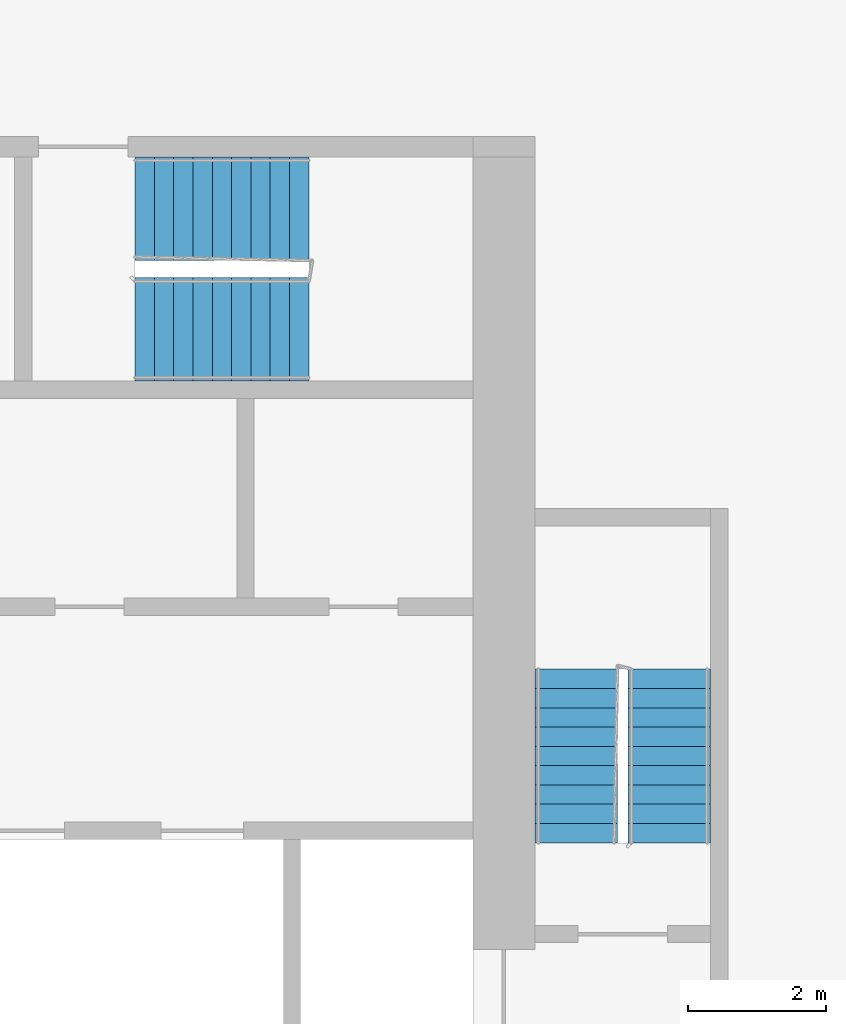
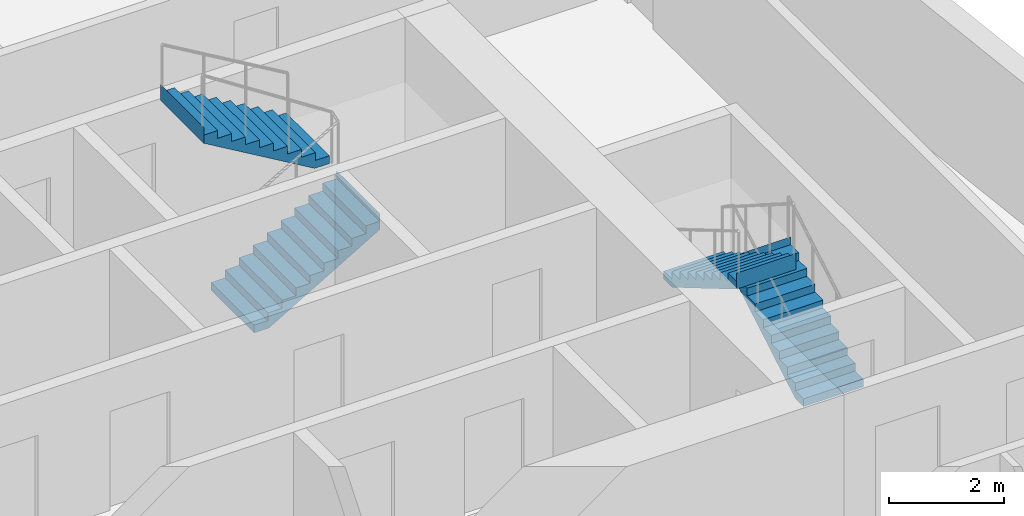
# One storey, part 11 of 12: 4 stair flights, 2 elements without a shape of their own.
"""IFC4 building model written with IfcOpenShell, lengths in metres."""

from ifc_helpers import new_model, si_unit, direction, frame, origin, place, context, subcontext, project, spatial, faceted_brep, material, type_object, element, aggregate, save


model = new_model("IFC4")

# Units and contexts
model_context = context("Model", 3, precision=1e-05, world=origin(), true_north=direction((0.0, 1.0)))
body_context = subcontext(model_context, "Body", "Model", "MODEL_VIEW")
ifc_project = project(units=[si_unit("LENGTHUNIT", "METRE"), si_unit("AREAUNIT", "SQUARE_METRE"), si_unit("VOLUMEUNIT", "CUBIC_METRE"), si_unit("PLANEANGLEUNIT", "RADIAN"), si_unit("MASSUNIT", "GRAM", prefix="KILO")], contexts=[model_context])

# Site, building, storey
site_placement = place(None, origin())
site = spatial("IfcSite", under=ifc_project, at=site_placement, CompositionType="ELEMENT")
building_placement = place(site_placement, origin())
building = spatial("IfcBuilding", under=site, at=building_placement, Name="Kajstack Hotel Tower", CompositionType="ELEMENT")
storey_placement = place(building_placement, frame((0.0, 0.0, 203.199951171875)))
storey = spatial("IfcBuildingStorey", under=building, at=storey_placement, Name="L49", CompositionType="ELEMENT", Elevation=203.199951171875)

# Stair, stair flights
ifc_material = material(Name="Concrete C40/50", Category="concrete")
stair_type_1 = type_object("IfcStairType", Name="Exit stair 1200", PredefinedType="HALF_TURN_STAIR", material=ifc_material)
stair_1_placement = place(storey_placement, origin())
stair_1 = element("IfcStair", 1, at=stair_1_placement, inside=storey, type_object=stair_type_1, Name="L49 stair E1", PredefinedType="HALF_TURN_STAIR")
stair_flight_type_1 = type_object("IfcStairFlightType", Name="Exit stair flight 1200", PredefinedType="STRAIGHT", material=ifc_material)
stair_flight_1_placement = place(storey_placement, frame((33.449951171875, 5.25, 0.0), z_axis=(0.0, 0.0, 1.0), x_axis=(0.0, 1.0, 0.0)))
stair_flight_1 = element("IfcStairFlight", 2, at=stair_flight_1_placement, type_object=stair_flight_type_1, Name="E1 flight 1", NumberOfRisers=10, NumberOfTreads=9, PredefinedType="STRAIGHT", RiserHeight=0.165, TreadLength=0.28, context=body_context, shape_type="Brep", body=[
    faceted_brep([(0.295654296875, -0.60009765625, 0.0), (2.5205078125, -0.60009765625, 1.31103515625), (2.5205078125, -0.60009765625, 1.64990234375), (2.52001953125, -0.60009765625, 1.64990234375), (2.52001953125, -0.60009765625, 1.485107421875), (2.239990234375, -0.60009765625, 1.485107421875), (2.239990234375, -0.60009765625, 1.320068359375), (1.9599609375, -0.60009765625, 1.320068359375), (1.9599609375, -0.60009765625, 1.155029296875), (1.679931640625, -0.60009765625, 1.155029296875), (1.679931640625, -0.60009765625, 0.989990234375), (1.39990234375, -0.60009765625, 0.989990234375), (1.39990234375, -0.60009765625, 0.824951171875), (1.1201171875, -0.60009765625, 0.824951171875), (1.1201171875, -0.60009765625, 0.659912109375), (0.840087890625, -0.60009765625, 0.659912109375), (0.840087890625, -0.60009765625, 0.4951171875), (0.56005859375, -0.60009765625, 0.4951171875), (0.56005859375, -0.60009765625, 0.330078125), (0.280029296875, -0.60009765625, 0.330078125), (0.280029296875, -0.60009765625, 0.1650390625), (-0.00048828125, -0.60009765625, 0.1650390625), (-0.00048828125, -0.60009765625, 0.0), (-0.00048828125, 0.60009765625, 0.0), (-0.00048828125, 0.60009765625, 0.1650390625), (0.280029296875, 0.60009765625, 0.1650390625), (0.280029296875, 0.60009765625, 0.330078125), (0.56005859375, 0.60009765625, 0.330078125), (0.56005859375, 0.60009765625, 0.4951171875), (0.840087890625, 0.60009765625, 0.4951171875), (0.840087890625, 0.60009765625, 0.659912109375), (1.1201171875, 0.60009765625, 0.659912109375), (1.1201171875, 0.60009765625, 0.824951171875), (1.39990234375, 0.60009765625, 0.824951171875), (1.39990234375, 0.60009765625, 0.989990234375), (1.679931640625, 0.60009765625, 0.989990234375), (1.679931640625, 0.60009765625, 1.155029296875), (1.9599609375, 0.60009765625, 1.155029296875), (1.9599609375, 0.60009765625, 1.320068359375), (2.239990234375, 0.60009765625, 1.320068359375), (2.239990234375, 0.60009765625, 1.485107421875), (2.52001953125, 0.60009765625, 1.485107421875), (2.52001953125, 0.60009765625, 1.64990234375), (2.5205078125, 0.60009765625, 1.64990234375), (2.5205078125, 0.60009765625, 1.31103515625), (0.295654296875, 0.60009765625, 0.0), (-0.00048828125, -0.300048828125, 0.1650390625), (-0.00048828125, 0.0, 0.1650390625), (-0.00048828125, 0.300048828125, 0.1650390625), (-0.00048828125, 0.300048828125, 0.0), (-0.00048828125, 0.0, 0.0), (-0.00048828125, -0.300048828125, 0.0), (0.280029296875, -0.300048828125, 0.1650390625), (0.280029296875, 0.0, 0.1650390625), (0.280029296875, 0.300048828125, 0.1650390625), (0.280029296875, -0.300048828125, 0.330078125), (0.280029296875, 0.0, 0.330078125), (0.280029296875, 0.300048828125, 0.330078125), (0.56005859375, -0.300048828125, 0.330078125), (0.56005859375, 0.0, 0.330078125), (0.56005859375, 0.300048828125, 0.330078125), (0.56005859375, -0.300048828125, 0.4951171875), (0.56005859375, 0.0, 0.4951171875), (0.56005859375, 0.300048828125, 0.4951171875), (0.840087890625, -0.300048828125, 0.4951171875), (0.840087890625, 0.0, 0.4951171875), (0.840087890625, 0.300048828125, 0.4951171875), (0.840087890625, -0.300048828125, 0.659912109375), (0.840087890625, 0.0, 0.659912109375), (0.840087890625, 0.300048828125, 0.659912109375), (1.1201171875, -0.300048828125, 0.659912109375), (1.1201171875, 0.0, 0.659912109375), (1.1201171875, 0.300048828125, 0.659912109375), (1.1201171875, -0.300048828125, 0.824951171875), (1.1201171875, 0.0, 0.824951171875), (1.1201171875, 0.300048828125, 0.824951171875), (1.39990234375, -0.300048828125, 0.824951171875), (1.39990234375, 0.0, 0.824951171875), (1.39990234375, 0.300048828125, 0.824951171875), (1.39990234375, -0.300048828125, 0.989990234375), (1.39990234375, 0.0, 0.989990234375), (1.39990234375, 0.300048828125, 0.989990234375), (1.679931640625, -0.300048828125, 0.989990234375), (1.679931640625, 0.0, 0.989990234375), (1.679931640625, 0.300048828125, 0.989990234375), (1.679931640625, -0.300048828125, 1.155029296875), (1.679931640625, 0.0, 1.155029296875), (1.679931640625, 0.300048828125, 1.155029296875), (1.9599609375, -0.300048828125, 1.155029296875), (1.9599609375, 0.0, 1.155029296875), (1.9599609375, 0.300048828125, 1.155029296875), (1.9599609375, -0.300048828125, 1.320068359375), (1.9599609375, 0.0, 1.320068359375), (1.9599609375, 0.300048828125, 1.320068359375), (2.239990234375, -0.300048828125, 1.320068359375), (2.239990234375, 0.0, 1.320068359375), (2.239990234375, 0.300048828125, 1.320068359375), (2.239990234375, -0.300048828125, 1.485107421875), (2.239990234375, 0.0, 1.485107421875), (2.239990234375, 0.300048828125, 1.485107421875), (2.52001953125, -0.300048828125, 1.485107421875), (2.52001953125, 0.0, 1.485107421875), (2.52001953125, 0.300048828125, 1.485107421875), (2.52001953125, -0.300048828125, 1.64990234375), (2.52001953125, 0.0, 1.64990234375), (2.52001953125, 0.300048828125, 1.64990234375), (2.5205078125, -0.300048828125, 1.64990234375), (2.5205078125, 0.0, 1.64990234375), (2.5205078125, 0.300048828125, 1.64990234375), (2.5205078125, -0.300048828125, 1.31103515625), (2.5205078125, 0.0, 1.31103515625), (2.5205078125, 0.300048828125, 1.31103515625), (0.295654296875, -0.300048828125, 0.0), (0.295654296875, 0.0, 0.0), (0.295654296875, 0.300048828125, 0.0)], [[[0, 1, 2, 3, 4, 5, 6, 7, 8, 9, 10, 11, 12, 13, 14, 15, 16, 17, 18, 19, 20, 21, 22]], [[23, 24, 25, 26, 27, 28, 29, 30, 31, 32, 33, 34, 35, 36, 37, 38, 39, 40, 41, 42, 43, 44, 45]], [[21, 46, 47, 48, 24, 23, 49, 50, 51, 22]], [[20, 52, 53, 54, 25, 24, 48, 47, 46, 21]], [[19, 55, 56, 57, 26, 25, 54, 53, 52, 20]], [[18, 58, 59, 60, 27, 26, 57, 56, 55, 19]], [[17, 61, 62, 63, 28, 27, 60, 59, 58, 18]], [[16, 64, 65, 66, 29, 28, 63, 62, 61, 17]], [[15, 67, 68, 69, 30, 29, 66, 65, 64, 16]], [[14, 70, 71, 72, 31, 30, 69, 68, 67, 15]], [[13, 73, 74, 75, 32, 31, 72, 71, 70, 14]], [[12, 76, 77, 78, 33, 32, 75, 74, 73, 13]], [[11, 79, 80, 81, 34, 33, 78, 77, 76, 12]], [[10, 82, 83, 84, 35, 34, 81, 80, 79, 11]], [[9, 85, 86, 87, 36, 35, 84, 83, 82, 10]], [[8, 88, 89, 90, 37, 36, 87, 86, 85, 9]], [[7, 91, 92, 93, 38, 37, 90, 89, 88, 8]], [[6, 94, 95, 96, 39, 38, 93, 92, 91, 7]], [[5, 97, 98, 99, 40, 39, 96, 95, 94, 6]], [[4, 100, 101, 102, 41, 40, 99, 98, 97, 5]], [[3, 103, 104, 105, 42, 41, 102, 101, 100, 4]], [[2, 106, 107, 108, 43, 42, 105, 104, 103, 3]], [[1, 109, 110, 111, 44, 43, 108, 107, 106, 2]], [[0, 112, 113, 114, 45, 44, 111, 110, 109, 1]], [[22, 51, 50, 49, 23, 45, 114, 113, 112, 0]]]),
])
stair_flight_2_placement = place(storey_placement, frame((32.10009765625, 7.77001953125, 1.650146484375), z_axis=(0.0, 0.0, 1.0), x_axis=(0.0, -1.0, 0.0)))
stair_flight_2 = element("IfcStairFlight", 3, at=stair_flight_2_placement, type_object=stair_flight_type_1, Name="E1 flight 2", NumberOfRisers=10, NumberOfTreads=9, PredefinedType="STRAIGHT", RiserHeight=0.165, TreadLength=0.28, context=body_context, shape_type="Brep", body=[
    faceted_brep([(0.295654296875, -0.60009765625, 0.0), (2.5205078125, -0.60009765625, 1.31103515625), (2.5205078125, -0.60009765625, 1.64990234375), (2.52001953125, -0.60009765625, 1.64990234375), (2.52001953125, -0.60009765625, 1.485107421875), (2.239990234375, -0.60009765625, 1.485107421875), (2.239990234375, -0.60009765625, 1.320068359375), (1.9599609375, -0.60009765625, 1.320068359375), (1.9599609375, -0.60009765625, 1.155029296875), (1.679931640625, -0.60009765625, 1.155029296875), (1.679931640625, -0.60009765625, 0.989990234375), (1.39990234375, -0.60009765625, 0.989990234375), (1.39990234375, -0.60009765625, 0.824951171875), (1.1201171875, -0.60009765625, 0.824951171875), (1.1201171875, -0.60009765625, 0.659912109375), (0.840087890625, -0.60009765625, 0.659912109375), (0.840087890625, -0.60009765625, 0.4951171875), (0.56005859375, -0.60009765625, 0.4951171875), (0.56005859375, -0.60009765625, 0.330078125), (0.280029296875, -0.60009765625, 0.330078125), (0.280029296875, -0.60009765625, 0.1650390625), (-0.00048828125, -0.60009765625, 0.1650390625), (-0.00048828125, -0.60009765625, 0.0), (-0.00048828125, 0.60009765625, 0.0), (-0.00048828125, 0.60009765625, 0.1650390625), (0.280029296875, 0.60009765625, 0.1650390625), (0.280029296875, 0.60009765625, 0.330078125), (0.56005859375, 0.60009765625, 0.330078125), (0.56005859375, 0.60009765625, 0.4951171875), (0.840087890625, 0.60009765625, 0.4951171875), (0.840087890625, 0.60009765625, 0.659912109375), (1.1201171875, 0.60009765625, 0.659912109375), (1.1201171875, 0.60009765625, 0.824951171875), (1.39990234375, 0.60009765625, 0.824951171875), (1.39990234375, 0.60009765625, 0.989990234375), (1.679931640625, 0.60009765625, 0.989990234375), (1.679931640625, 0.60009765625, 1.155029296875), (1.9599609375, 0.60009765625, 1.155029296875), (1.9599609375, 0.60009765625, 1.320068359375), (2.239990234375, 0.60009765625, 1.320068359375), (2.239990234375, 0.60009765625, 1.485107421875), (2.52001953125, 0.60009765625, 1.485107421875), (2.52001953125, 0.60009765625, 1.64990234375), (2.5205078125, 0.60009765625, 1.64990234375), (2.5205078125, 0.60009765625, 1.31103515625), (0.295654296875, 0.60009765625, 0.0), (-0.00048828125, -0.300048828125, 0.1650390625), (-0.00048828125, 0.0, 0.1650390625), (-0.00048828125, 0.300048828125, 0.1650390625), (-0.00048828125, 0.300048828125, 0.0), (-0.00048828125, 0.0, 0.0), (-0.00048828125, -0.300048828125, 0.0), (0.280029296875, -0.300048828125, 0.1650390625), (0.280029296875, 0.0, 0.1650390625), (0.280029296875, 0.300048828125, 0.1650390625), (0.280029296875, -0.300048828125, 0.330078125), (0.280029296875, 0.0, 0.330078125), (0.280029296875, 0.300048828125, 0.330078125), (0.56005859375, -0.300048828125, 0.330078125), (0.56005859375, 0.0, 0.330078125), (0.56005859375, 0.300048828125, 0.330078125), (0.56005859375, -0.300048828125, 0.4951171875), (0.56005859375, 0.0, 0.4951171875), (0.56005859375, 0.300048828125, 0.4951171875), (0.840087890625, -0.300048828125, 0.4951171875), (0.840087890625, 0.0, 0.4951171875), (0.840087890625, 0.300048828125, 0.4951171875), (0.840087890625, -0.300048828125, 0.659912109375), (0.840087890625, 0.0, 0.659912109375), (0.840087890625, 0.300048828125, 0.659912109375), (1.1201171875, -0.300048828125, 0.659912109375), (1.1201171875, 0.0, 0.659912109375), (1.1201171875, 0.300048828125, 0.659912109375), (1.1201171875, -0.300048828125, 0.824951171875), (1.1201171875, 0.0, 0.824951171875), (1.1201171875, 0.300048828125, 0.824951171875), (1.39990234375, -0.300048828125, 0.824951171875), (1.39990234375, 0.0, 0.824951171875), (1.39990234375, 0.300048828125, 0.824951171875), (1.39990234375, -0.300048828125, 0.989990234375), (1.39990234375, 0.0, 0.989990234375), (1.39990234375, 0.300048828125, 0.989990234375), (1.679931640625, -0.300048828125, 0.989990234375), (1.679931640625, 0.0, 0.989990234375), (1.679931640625, 0.300048828125, 0.989990234375), (1.679931640625, -0.300048828125, 1.155029296875), (1.679931640625, 0.0, 1.155029296875), (1.679931640625, 0.300048828125, 1.155029296875), (1.9599609375, -0.300048828125, 1.155029296875), (1.9599609375, 0.0, 1.155029296875), (1.9599609375, 0.300048828125, 1.155029296875), (1.9599609375, -0.300048828125, 1.320068359375), (1.9599609375, 0.0, 1.320068359375), (1.9599609375, 0.300048828125, 1.320068359375), (2.239990234375, -0.300048828125, 1.320068359375), (2.239990234375, 0.0, 1.320068359375), (2.239990234375, 0.300048828125, 1.320068359375), (2.239990234375, -0.300048828125, 1.485107421875), (2.239990234375, 0.0, 1.485107421875), (2.239990234375, 0.300048828125, 1.485107421875), (2.52001953125, -0.300048828125, 1.485107421875), (2.52001953125, 0.0, 1.485107421875), (2.52001953125, 0.300048828125, 1.485107421875), (2.52001953125, -0.300048828125, 1.64990234375), (2.52001953125, 0.0, 1.64990234375), (2.52001953125, 0.300048828125, 1.64990234375), (2.5205078125, -0.300048828125, 1.64990234375), (2.5205078125, 0.0, 1.64990234375), (2.5205078125, 0.300048828125, 1.64990234375), (2.5205078125, -0.300048828125, 1.31103515625), (2.5205078125, 0.0, 1.31103515625), (2.5205078125, 0.300048828125, 1.31103515625), (0.295654296875, -0.300048828125, 0.0), (0.295654296875, 0.0, 0.0), (0.295654296875, 0.300048828125, 0.0)], [[[0, 1, 2, 3, 4, 5, 6, 7, 8, 9, 10, 11, 12, 13, 14, 15, 16, 17, 18, 19, 20, 21, 22]], [[23, 24, 25, 26, 27, 28, 29, 30, 31, 32, 33, 34, 35, 36, 37, 38, 39, 40, 41, 42, 43, 44, 45]], [[21, 46, 47, 48, 24, 23, 49, 50, 51, 22]], [[20, 52, 53, 54, 25, 24, 48, 47, 46, 21]], [[19, 55, 56, 57, 26, 25, 54, 53, 52, 20]], [[18, 58, 59, 60, 27, 26, 57, 56, 55, 19]], [[17, 61, 62, 63, 28, 27, 60, 59, 58, 18]], [[16, 64, 65, 66, 29, 28, 63, 62, 61, 17]], [[15, 67, 68, 69, 30, 29, 66, 65, 64, 16]], [[14, 70, 71, 72, 31, 30, 69, 68, 67, 15]], [[13, 73, 74, 75, 32, 31, 72, 71, 70, 14]], [[12, 76, 77, 78, 33, 32, 75, 74, 73, 13]], [[11, 79, 80, 81, 34, 33, 78, 77, 76, 12]], [[10, 82, 83, 84, 35, 34, 81, 80, 79, 11]], [[9, 85, 86, 87, 36, 35, 84, 83, 82, 10]], [[8, 88, 89, 90, 37, 36, 87, 86, 85, 9]], [[7, 91, 92, 93, 38, 37, 90, 89, 88, 8]], [[6, 94, 95, 96, 39, 38, 93, 92, 91, 7]], [[5, 97, 98, 99, 40, 39, 96, 95, 94, 6]], [[4, 100, 101, 102, 41, 40, 99, 98, 97, 5]], [[3, 103, 104, 105, 42, 41, 102, 101, 100, 4]], [[2, 106, 107, 108, 43, 42, 105, 104, 103, 3]], [[1, 109, 110, 111, 44, 43, 108, 107, 106, 2]], [[0, 112, 113, 114, 45, 44, 111, 110, 109, 1]], [[22, 51, 50, 49, 23, 45, 114, 113, 112, 0]]]),
])
aggregate(stair_1, [stair_flight_1, stair_flight_2])

stair_type_2 = type_object("IfcStairType", Name="Exit stair 1500", PredefinedType="HALF_TURN_STAIR", material=ifc_material)
stair_2_placement = place(storey_placement, origin())
stair_2 = element("IfcStair", 4, at=stair_2_placement, inside=storey, type_object=stair_type_2, Name="L49 stair E3", PredefinedType="HALF_TURN_STAIR")
stair_flight_type_2 = type_object("IfcStairFlightType", Name="Exit stair flight 1500", PredefinedType="STRAIGHT", material=ifc_material)
stair_flight_3_placement = place(storey_placement, frame((25.699951171875, 12.699951171875, 0.0), z_axis=(0.0, 0.0, 1.0), x_axis=(1.0, 0.0, 0.0)))
stair_flight_3 = element("IfcStairFlight", 5, at=stair_flight_3_placement, type_object=stair_flight_type_2, Name="E3 flight 1", NumberOfRisers=10, NumberOfTreads=9, PredefinedType="STRAIGHT", RiserHeight=0.165, TreadLength=0.28, context=body_context, shape_type="Brep", body=[
    faceted_brep([(0.295654296875, -0.75, 0.0), (2.5205078125, -0.75, 1.31103515625), (2.5205078125, -0.75, 1.64990234375), (2.52001953125, -0.75, 1.64990234375), (2.52001953125, -0.75, 1.485107421875), (2.239990234375, -0.75, 1.485107421875), (2.239990234375, -0.75, 1.320068359375), (1.9599609375, -0.75, 1.320068359375), (1.9599609375, -0.75, 1.155029296875), (1.679931640625, -0.75, 1.155029296875), (1.679931640625, -0.75, 0.989990234375), (1.39990234375, -0.75, 0.989990234375), (1.39990234375, -0.75, 0.824951171875), (1.1201171875, -0.75, 0.824951171875), (1.1201171875, -0.75, 0.659912109375), (0.840087890625, -0.75, 0.659912109375), (0.840087890625, -0.75, 0.4951171875), (0.56005859375, -0.75, 0.4951171875), (0.56005859375, -0.75, 0.330078125), (0.280029296875, -0.75, 0.330078125), (0.280029296875, -0.75, 0.1650390625), (-0.00048828125, -0.75, 0.1650390625), (-0.00048828125, -0.75, 0.0), (-0.00048828125, 0.75, 0.0), (-0.00048828125, 0.75, 0.1650390625), (0.280029296875, 0.75, 0.1650390625), (0.280029296875, 0.75, 0.330078125), (0.56005859375, 0.75, 0.330078125), (0.56005859375, 0.75, 0.4951171875), (0.840087890625, 0.75, 0.4951171875), (0.840087890625, 0.75, 0.659912109375), (1.1201171875, 0.75, 0.659912109375), (1.1201171875, 0.75, 0.824951171875), (1.39990234375, 0.75, 0.824951171875), (1.39990234375, 0.75, 0.989990234375), (1.679931640625, 0.75, 0.989990234375), (1.679931640625, 0.75, 1.155029296875), (1.9599609375, 0.75, 1.155029296875), (1.9599609375, 0.75, 1.320068359375), (2.239990234375, 0.75, 1.320068359375), (2.239990234375, 0.75, 1.485107421875), (2.52001953125, 0.75, 1.485107421875), (2.52001953125, 0.75, 1.64990234375), (2.5205078125, 0.75, 1.64990234375), (2.5205078125, 0.75, 1.31103515625), (0.295654296875, 0.75, 0.0), (-0.00048828125, -0.375, 0.1650390625), (-0.00048828125, 0.0, 0.1650390625), (-0.00048828125, 0.375, 0.1650390625), (-0.00048828125, 0.375, 0.0), (-0.00048828125, 0.0, 0.0), (-0.00048828125, -0.375, 0.0), (0.280029296875, -0.375, 0.1650390625), (0.280029296875, 0.0, 0.1650390625), (0.280029296875, 0.375, 0.1650390625), (0.280029296875, -0.375, 0.330078125), (0.280029296875, 0.0, 0.330078125), (0.280029296875, 0.375, 0.330078125), (0.56005859375, -0.375, 0.330078125), (0.56005859375, 0.0, 0.330078125), (0.56005859375, 0.375, 0.330078125), (0.56005859375, -0.375, 0.4951171875), (0.56005859375, 0.0, 0.4951171875), (0.56005859375, 0.375, 0.4951171875), (0.840087890625, -0.375, 0.4951171875), (0.840087890625, 0.0, 0.4951171875), (0.840087890625, 0.375, 0.4951171875), (0.840087890625, -0.375, 0.659912109375), (0.840087890625, 0.0, 0.659912109375), (0.840087890625, 0.375, 0.659912109375), (1.1201171875, -0.375, 0.659912109375), (1.1201171875, 0.0, 0.659912109375), (1.1201171875, 0.375, 0.659912109375), (1.1201171875, -0.375, 0.824951171875), (1.1201171875, 0.0, 0.824951171875), (1.1201171875, 0.375, 0.824951171875), (1.39990234375, -0.375, 0.824951171875), (1.39990234375, 0.0, 0.824951171875), (1.39990234375, 0.375, 0.824951171875), (1.39990234375, -0.375, 0.989990234375), (1.39990234375, 0.0, 0.989990234375), (1.39990234375, 0.375, 0.989990234375), (1.679931640625, -0.375, 0.989990234375), (1.679931640625, 0.0, 0.989990234375), (1.679931640625, 0.375, 0.989990234375), (1.679931640625, -0.375, 1.155029296875), (1.679931640625, 0.0, 1.155029296875), (1.679931640625, 0.375, 1.155029296875), (1.9599609375, -0.375, 1.155029296875), (1.9599609375, 0.0, 1.155029296875), (1.9599609375, 0.375, 1.155029296875), (1.9599609375, -0.375, 1.320068359375), (1.9599609375, 0.0, 1.320068359375), (1.9599609375, 0.375, 1.320068359375), (2.239990234375, -0.375, 1.320068359375), (2.239990234375, 0.0, 1.320068359375), (2.239990234375, 0.375, 1.320068359375), (2.239990234375, -0.375, 1.485107421875), (2.239990234375, 0.0, 1.485107421875), (2.239990234375, 0.375, 1.485107421875), (2.52001953125, -0.375, 1.485107421875), (2.52001953125, 0.0, 1.485107421875), (2.52001953125, 0.375, 1.485107421875), (2.52001953125, -0.375, 1.64990234375), (2.52001953125, 0.0, 1.64990234375), (2.52001953125, 0.375, 1.64990234375), (2.5205078125, -0.375, 1.64990234375), (2.5205078125, 0.0, 1.64990234375), (2.5205078125, 0.375, 1.64990234375), (2.5205078125, -0.375, 1.31103515625), (2.5205078125, 0.0, 1.31103515625), (2.5205078125, 0.375, 1.31103515625), (0.295654296875, -0.375, 0.0), (0.295654296875, 0.0, 0.0), (0.295654296875, 0.375, 0.0)], [[[0, 1, 2, 3, 4, 5, 6, 7, 8, 9, 10, 11, 12, 13, 14, 15, 16, 17, 18, 19, 20, 21, 22]], [[23, 24, 25, 26, 27, 28, 29, 30, 31, 32, 33, 34, 35, 36, 37, 38, 39, 40, 41, 42, 43, 44, 45]], [[21, 46, 47, 48, 24, 23, 49, 50, 51, 22]], [[20, 52, 53, 54, 25, 24, 48, 47, 46, 21]], [[19, 55, 56, 57, 26, 25, 54, 53, 52, 20]], [[18, 58, 59, 60, 27, 26, 57, 56, 55, 19]], [[17, 61, 62, 63, 28, 27, 60, 59, 58, 18]], [[16, 64, 65, 66, 29, 28, 63, 62, 61, 17]], [[15, 67, 68, 69, 30, 29, 66, 65, 64, 16]], [[14, 70, 71, 72, 31, 30, 69, 68, 67, 15]], [[13, 73, 74, 75, 32, 31, 72, 71, 70, 14]], [[12, 76, 77, 78, 33, 32, 75, 74, 73, 13]], [[11, 79, 80, 81, 34, 33, 78, 77, 76, 12]], [[10, 82, 83, 84, 35, 34, 81, 80, 79, 11]], [[9, 85, 86, 87, 36, 35, 84, 83, 82, 10]], [[8, 88, 89, 90, 37, 36, 87, 86, 85, 9]], [[7, 91, 92, 93, 38, 37, 90, 89, 88, 8]], [[6, 94, 95, 96, 39, 38, 93, 92, 91, 7]], [[5, 97, 98, 99, 40, 39, 96, 95, 94, 6]], [[4, 100, 101, 102, 41, 40, 99, 98, 97, 5]], [[3, 103, 104, 105, 42, 41, 102, 101, 100, 4]], [[2, 106, 107, 108, 43, 42, 105, 104, 103, 3]], [[1, 109, 110, 111, 44, 43, 108, 107, 106, 2]], [[0, 112, 113, 114, 45, 44, 111, 110, 109, 1]], [[22, 51, 50, 49, 23, 45, 114, 113, 112, 0]]]),
])
stair_flight_4_placement = place(storey_placement, frame((28.219970703125, 14.449951171875, 1.650146484375), z_axis=(0.0, 0.0, 1.0), x_axis=(-1.0, 0.0, 0.0)))
stair_flight_4 = element("IfcStairFlight", 6, at=stair_flight_4_placement, type_object=stair_flight_type_2, Name="E3 flight 2", NumberOfRisers=10, NumberOfTreads=9, PredefinedType="STRAIGHT", RiserHeight=0.165, TreadLength=0.28, context=body_context, shape_type="Brep", body=[
    faceted_brep([(0.295654296875, -0.75, 0.0), (2.5205078125, -0.75, 1.31103515625), (2.5205078125, -0.75, 1.64990234375), (2.52001953125, -0.75, 1.64990234375), (2.52001953125, -0.75, 1.485107421875), (2.239990234375, -0.75, 1.485107421875), (2.239990234375, -0.75, 1.320068359375), (1.9599609375, -0.75, 1.320068359375), (1.9599609375, -0.75, 1.155029296875), (1.679931640625, -0.75, 1.155029296875), (1.679931640625, -0.75, 0.989990234375), (1.39990234375, -0.75, 0.989990234375), (1.39990234375, -0.75, 0.824951171875), (1.1201171875, -0.75, 0.824951171875), (1.1201171875, -0.75, 0.659912109375), (0.840087890625, -0.75, 0.659912109375), (0.840087890625, -0.75, 0.4951171875), (0.56005859375, -0.75, 0.4951171875), (0.56005859375, -0.75, 0.330078125), (0.280029296875, -0.75, 0.330078125), (0.280029296875, -0.75, 0.1650390625), (-0.00048828125, -0.75, 0.1650390625), (-0.00048828125, -0.75, 0.0), (-0.00048828125, 0.75, 0.0), (-0.00048828125, 0.75, 0.1650390625), (0.280029296875, 0.75, 0.1650390625), (0.280029296875, 0.75, 0.330078125), (0.56005859375, 0.75, 0.330078125), (0.56005859375, 0.75, 0.4951171875), (0.840087890625, 0.75, 0.4951171875), (0.840087890625, 0.75, 0.659912109375), (1.1201171875, 0.75, 0.659912109375), (1.1201171875, 0.75, 0.824951171875), (1.39990234375, 0.75, 0.824951171875), (1.39990234375, 0.75, 0.989990234375), (1.679931640625, 0.75, 0.989990234375), (1.679931640625, 0.75, 1.155029296875), (1.9599609375, 0.75, 1.155029296875), (1.9599609375, 0.75, 1.320068359375), (2.239990234375, 0.75, 1.320068359375), (2.239990234375, 0.75, 1.485107421875), (2.52001953125, 0.75, 1.485107421875), (2.52001953125, 0.75, 1.64990234375), (2.5205078125, 0.75, 1.64990234375), (2.5205078125, 0.75, 1.31103515625), (0.295654296875, 0.75, 0.0), (-0.00048828125, -0.375, 0.1650390625), (-0.00048828125, 0.0, 0.1650390625), (-0.00048828125, 0.375, 0.1650390625), (-0.00048828125, 0.375, 0.0), (-0.00048828125, 0.0, 0.0), (-0.00048828125, -0.375, 0.0), (0.280029296875, -0.375, 0.1650390625), (0.280029296875, 0.0, 0.1650390625), (0.280029296875, 0.375, 0.1650390625), (0.280029296875, -0.375, 0.330078125), (0.280029296875, 0.0, 0.330078125), (0.280029296875, 0.375, 0.330078125), (0.56005859375, -0.375, 0.330078125), (0.56005859375, 0.0, 0.330078125), (0.56005859375, 0.375, 0.330078125), (0.56005859375, -0.375, 0.4951171875), (0.56005859375, 0.0, 0.4951171875), (0.56005859375, 0.375, 0.4951171875), (0.840087890625, -0.375, 0.4951171875), (0.840087890625, 0.0, 0.4951171875), (0.840087890625, 0.375, 0.4951171875), (0.840087890625, -0.375, 0.659912109375), (0.840087890625, 0.0, 0.659912109375), (0.840087890625, 0.375, 0.659912109375), (1.1201171875, -0.375, 0.659912109375), (1.1201171875, 0.0, 0.659912109375), (1.1201171875, 0.375, 0.659912109375), (1.1201171875, -0.375, 0.824951171875), (1.1201171875, 0.0, 0.824951171875), (1.1201171875, 0.375, 0.824951171875), (1.39990234375, -0.375, 0.824951171875), (1.39990234375, 0.0, 0.824951171875), (1.39990234375, 0.375, 0.824951171875), (1.39990234375, -0.375, 0.989990234375), (1.39990234375, 0.0, 0.989990234375), (1.39990234375, 0.375, 0.989990234375), (1.679931640625, -0.375, 0.989990234375), (1.679931640625, 0.0, 0.989990234375), (1.679931640625, 0.375, 0.989990234375), (1.679931640625, -0.375, 1.155029296875), (1.679931640625, 0.0, 1.155029296875), (1.679931640625, 0.375, 1.155029296875), (1.9599609375, -0.375, 1.155029296875), (1.9599609375, 0.0, 1.155029296875), (1.9599609375, 0.375, 1.155029296875), (1.9599609375, -0.375, 1.320068359375), (1.9599609375, 0.0, 1.320068359375), (1.9599609375, 0.375, 1.320068359375), (2.239990234375, -0.375, 1.320068359375), (2.239990234375, 0.0, 1.320068359375), (2.239990234375, 0.375, 1.320068359375), (2.239990234375, -0.375, 1.485107421875), (2.239990234375, 0.0, 1.485107421875), (2.239990234375, 0.375, 1.485107421875), (2.52001953125, -0.375, 1.485107421875), (2.52001953125, 0.0, 1.485107421875), (2.52001953125, 0.375, 1.485107421875), (2.52001953125, -0.375, 1.64990234375), (2.52001953125, 0.0, 1.64990234375), (2.52001953125, 0.375, 1.64990234375), (2.5205078125, -0.375, 1.64990234375), (2.5205078125, 0.0, 1.64990234375), (2.5205078125, 0.375, 1.64990234375), (2.5205078125, -0.375, 1.31103515625), (2.5205078125, 0.0, 1.31103515625), (2.5205078125, 0.375, 1.31103515625), (0.295654296875, -0.375, 0.0), (0.295654296875, 0.0, 0.0), (0.295654296875, 0.375, 0.0)], [[[0, 1, 2, 3, 4, 5, 6, 7, 8, 9, 10, 11, 12, 13, 14, 15, 16, 17, 18, 19, 20, 21, 22]], [[23, 24, 25, 26, 27, 28, 29, 30, 31, 32, 33, 34, 35, 36, 37, 38, 39, 40, 41, 42, 43, 44, 45]], [[21, 46, 47, 48, 24, 23, 49, 50, 51, 22]], [[20, 52, 53, 54, 25, 24, 48, 47, 46, 21]], [[19, 55, 56, 57, 26, 25, 54, 53, 52, 20]], [[18, 58, 59, 60, 27, 26, 57, 56, 55, 19]], [[17, 61, 62, 63, 28, 27, 60, 59, 58, 18]], [[16, 64, 65, 66, 29, 28, 63, 62, 61, 17]], [[15, 67, 68, 69, 30, 29, 66, 65, 64, 16]], [[14, 70, 71, 72, 31, 30, 69, 68, 67, 15]], [[13, 73, 74, 75, 32, 31, 72, 71, 70, 14]], [[12, 76, 77, 78, 33, 32, 75, 74, 73, 13]], [[11, 79, 80, 81, 34, 33, 78, 77, 76, 12]], [[10, 82, 83, 84, 35, 34, 81, 80, 79, 11]], [[9, 85, 86, 87, 36, 35, 84, 83, 82, 10]], [[8, 88, 89, 90, 37, 36, 87, 86, 85, 9]], [[7, 91, 92, 93, 38, 37, 90, 89, 88, 8]], [[6, 94, 95, 96, 39, 38, 93, 92, 91, 7]], [[5, 97, 98, 99, 40, 39, 96, 95, 94, 6]], [[4, 100, 101, 102, 41, 40, 99, 98, 97, 5]], [[3, 103, 104, 105, 42, 41, 102, 101, 100, 4]], [[2, 106, 107, 108, 43, 42, 105, 104, 103, 3]], [[1, 109, 110, 111, 44, 43, 108, 107, 106, 2]], [[0, 112, 113, 114, 45, 44, 111, 110, 109, 1]], [[22, 51, 50, 49, 23, 45, 114, 113, 112, 0]]]),
])
aggregate(stair_2, [stair_flight_3, stair_flight_4])

save(model, "model.ifc")
